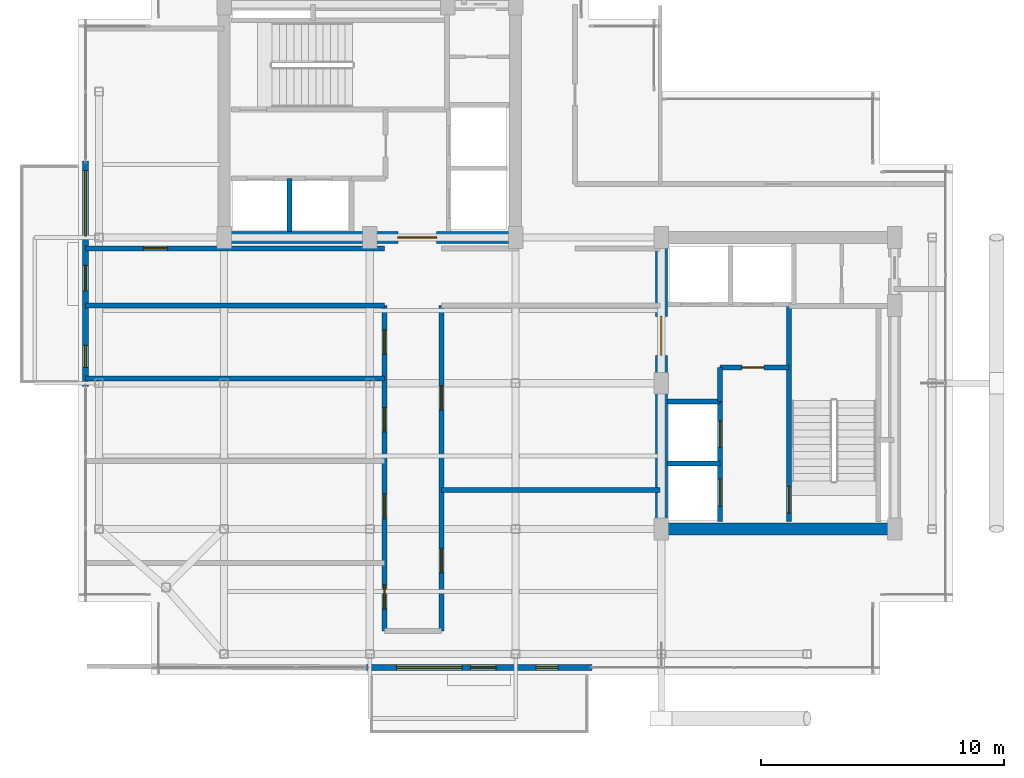
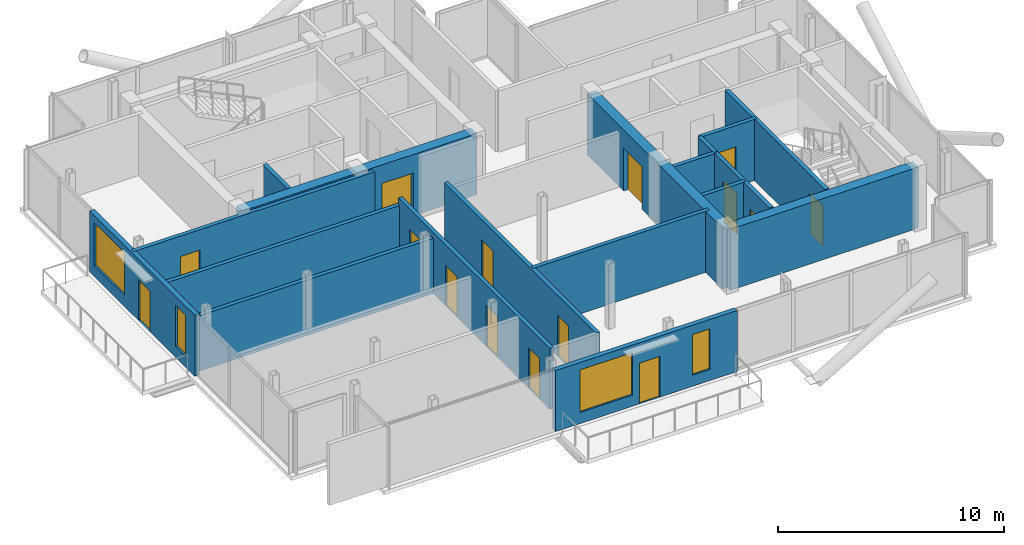
# One storey, part 14 of 18: 18 walls, 15 doors, 4 windows, 19 openings.
"""IFC4 building model written with IfcOpenShell, lengths in metres."""

from ifc_helpers import new_model, si_unit, direction, frame, frame_2d, origin, place, context, subcontext, project, spatial, rectangle, extrude, material, layer, layer_set, type_object, element, fill, save


model = new_model("IFC4")

# Units and contexts
model_context = context("Model", 3, precision=1e-05, world=origin(), true_north=direction((0.0, 1.0)))
body_context = subcontext(model_context, "Body", "Model", "MODEL_VIEW")
ifc_project = project(units=[si_unit("LENGTHUNIT", "METRE"), si_unit("AREAUNIT", "SQUARE_METRE"), si_unit("VOLUMEUNIT", "CUBIC_METRE"), si_unit("PLANEANGLEUNIT", "RADIAN"), si_unit("MASSUNIT", "GRAM", prefix="KILO"), si_unit("THERMODYNAMICTEMPERATUREUNIT", "KELVIN"), si_unit("POWERUNIT", "WATT")], contexts=[model_context])

# Site, building, storey
site_placement = place(None, origin())
site = spatial("IfcSite", under=ifc_project, at=site_placement, CompositionType="ELEMENT")
building_placement = place(site_placement, origin())
building = spatial("IfcBuilding", under=site, at=building_placement, Name="Svarakhadi Broadcast Tower", CompositionType="ELEMENT")
storey_placement = place(building_placement, frame((0.0, 0.0, 281.699951171875)))
storey = spatial("IfcBuildingStorey", under=building, at=storey_placement, Name="L71", CompositionType="ELEMENT", Elevation=281.699951171875)

# Walls
ifc_material_1 = material(Name="Double-Stud Acoustic Studio Partition STC-62", Category="gypsum")
ifc_layer_1 = layer(ifc_material_1, 0.199951171875)
ifc_layer_set_1 = layer_set([ifc_layer_1], Name="Double-Stud Acoustic Studio Partition STC-62")
wall_type_1 = type_object("IfcWallType", Name="Wall_Acoust_200", PredefinedType="PARTITIONING", material=ifc_layer_set_1)
wall_1_placement = place(storey_placement, frame((0.300048828125, 12.199951171875, 0.0), z_axis=(0.0, 0.0, 1.0), x_axis=(1.0, 0.0, 0.0)))
element("IfcWall", 1, at=wall_1_placement, inside=storey, type_object=wall_type_1, Name="L71 Summit Press Briefing Room Wall", PredefinedType="PARTITIONING", context=body_context, shape_type="SweptSolid", body=[
    extrude(rectangle(XDim=12.300048828125, YDim=0.199951171875, at=frame_2d((6.14990234375, 0.0))), origin(), (0.0, 0.0, 1.0), 2.991943359375),
])
wall_2_placement = place(storey_placement, frame((14.949951171875, 7.60009765625, 0.0), z_axis=(0.0, 0.0, 1.0), x_axis=(1.0, 0.0, 0.0)))
element("IfcWall", 2, at=wall_2_placement, inside=storey, type_object=wall_type_1, Name="L71 Summit Horizon Observatory Club Wall", PredefinedType="PARTITIONING", context=body_context, shape_type="SweptSolid", body=[
    extrude(rectangle(XDim=9.0, YDim=0.199951171875, at=frame_2d((4.5, 0.0))), origin(), (0.0, 0.0, 1.0), 3.300048828125),
])

# Wall, openings, door, windows
ifc_material_2 = material(Name="Concrete C40/50 (IS 456 M50)", Category="concrete")
ifc_layer_2 = layer(ifc_material_2, 0.239990234375)
ifc_layer_set_2 = layer_set([ifc_layer_2], Name="Concrete C40/50 (IS 456 M50)")
wall_type_2 = type_object("IfcWallType", Name="Wall_Ext_240", PredefinedType="SOLIDWALL", material=ifc_layer_set_2)
wall_3_placement = place(storey_placement, frame((21.14501953125, 0.300048828125, 0.0), z_axis=(0.0, 0.0, 1.0), x_axis=(-1.0, 0.0, 0.0)))
wall_3 = element("IfcWall", 3, at=wall_3_placement, inside=storey, type_object=wall_type_2, Name="L71 South Tree Balcony Spandrel Wall", PredefinedType="SOLIDWALL", context=body_context, shape_type="SweptSolid", body=[
    extrude(rectangle(XDim=9.2900390625, YDim=0.239990234375, at=frame_2d((4.64501953125, 0.0))), origin(), (0.0, 0.0, 1.0), 3.300048828125),
])
opening_1_placement = place(wall_3_placement, frame((3.945068359375, 0.0, 0.0)))
opening_1 = element("IfcOpeningElement", 4, at=opening_1_placement, cuts=wall_3, Name="Opening ED-05", PredefinedType="OPENING", context=body_context, shape_type="SweptSolid", body=[
    extrude(rectangle(XDim=1.050048828125, YDim=2.199951171875, at=frame_2d((0.52490234375, 1.10009765625))), frame((0.0, 0.1298828125, 0.0), z_axis=(0.0, -1.0, 0.0), x_axis=(1.0, 0.0, 0.0)), (0.0, 0.0, 1.0), 0.260009765625),
])
opening_2_placement = place(wall_3_placement, frame((5.344970703125, 0.0, 0.60009765625)))
opening_2 = element("IfcOpeningElement", 5, at=opening_2_placement, cuts=wall_3, Name="Opening WN-07", PredefinedType="OPENING", context=body_context, shape_type="SweptSolid", body=[
    extrude(rectangle(XDim=2.699951171875, YDim=2.300048828125, at=frame_2d((1.35009765625, 1.14990234375))), frame((0.0, 0.1298828125, 0.0), z_axis=(0.0, -1.0, 0.0), x_axis=(1.0, 0.0, 0.0)), (0.0, 0.0, 1.0), 0.260009765625),
])
opening_3_placement = place(wall_3_placement, frame((1.39990234375, 0.0, 0.60009765625)))
opening_3 = element("IfcOpeningElement", 6, at=opening_3_placement, cuts=wall_3, Name="Opening WN-04", PredefinedType="OPENING", context=body_context, shape_type="SweptSolid", body=[
    extrude(rectangle(XDim=0.89990234375, YDim=2.199951171875, at=frame_2d((0.449951171875, 1.10009765625))), frame((0.0, 0.1298828125, 0.0), z_axis=(0.0, -1.0, 0.0), x_axis=(1.0, 0.0, 0.0)), (0.0, 0.0, 1.0), 0.260009765625),
])
ifc_material_3 = material(Name="Anodised Bronze Aluminium AA 6063-T6", Category="aluminium")
door_type_1 = type_object("IfcDoorType", Name="Door_Ext_ED05", OperationType="SINGLE_SWING_LEFT", PredefinedType="DOOR", material=ifc_material_3)
door_1_placement = place(opening_1_placement, origin())
door_1 = element("IfcDoor", 7, at=door_1_placement, inside=storey, type_object=door_type_1, Name="L71 South Tree Balcony Door", OperationType="SINGLE_SWING_LEFT", OverallHeight=2.199951171875, OverallWidth=1.050048828125, PredefinedType="DOOR", context=body_context, shape_type="SweptSolid", body=[
    extrude(rectangle(XDim=1.050048828125, YDim=2.199951171875, at=frame_2d((0.52490234375, 1.10009765625))), frame((0.0, 0.02490234375, 0.0), z_axis=(0.0, -1.0, 0.0), x_axis=(1.0, 0.0, 0.0)), (0.0, 0.0, 1.0), 0.050048828125),
])
fill(opening_1, door_1)
ifc_material_4 = material(Name="Double Low-E Laminated Acoustic Glass IGU 36 mm", Category="glass")
window_type_1 = type_object("IfcWindowType", Name="Win_Resi_WN07", PartitioningType="SINGLE_PANEL", PredefinedType="WINDOW", material=ifc_material_4)
window_1_placement = place(opening_2_placement, origin())
window_1 = element("IfcWindow", 8, at=window_1_placement, inside=storey, type_object=window_type_1, Name="L71 South Tree Balcony Window", OverallHeight=2.300048828125, OverallWidth=2.699951171875, PartitioningType="SINGLE_PANEL", PredefinedType="WINDOW", context=body_context, shape_type="SweptSolid", body=[
    extrude(rectangle(XDim=2.699951171875, YDim=2.300048828125, at=frame_2d((1.35009765625, 1.14990234375))), frame((0.0, 0.030029296875, 0.0), z_axis=(0.0, -1.0, 0.0), x_axis=(1.0, 0.0, 0.0)), (0.0, 0.0, 1.0), 0.06005859375),
])
fill(opening_2, window_1)
window_type_2 = type_object("IfcWindowType", Name="Win_Slot_WN04", PartitioningType="SINGLE_PANEL", PredefinedType="WINDOW", material=ifc_material_4)
window_2_placement = place(opening_3_placement, origin())
window_2 = element("IfcWindow", 9, at=window_2_placement, inside=storey, type_object=window_type_2, Name="L71 South Primary Bedroom Slot Window", OverallHeight=2.199951171875, OverallWidth=0.89990234375, PartitioningType="SINGLE_PANEL", PredefinedType="WINDOW", context=body_context, shape_type="SweptSolid", body=[
    extrude(rectangle(XDim=0.89990234375, YDim=2.199951171875, at=frame_2d((0.449951171875, 1.10009765625))), frame((0.0, 0.030029296875, 0.0), z_axis=(0.0, -1.0, 0.0), x_axis=(1.0, 0.0, 0.0)), (0.0, 0.0, 1.0), 0.06005859375),
])
fill(opening_3, window_2)

wall_4_placement = place(storey_placement, frame((0.300048828125, 11.85498046875, 0.0), z_axis=(0.0, 0.0, 1.0), x_axis=(0.0, 1.0, 0.0)))
wall_4 = element("IfcWall", 10, at=wall_4_placement, inside=storey, type_object=wall_type_2, Name="L71 West Tree Balcony Spandrel Wall", PredefinedType="SOLIDWALL", context=body_context, shape_type="SweptSolid", body=[
    extrude(rectangle(XDim=9.2900390625, YDim=0.239990234375, at=frame_2d((4.64501953125, 0.0))), origin(), (0.0, 0.0, 1.0), 3.300048828125),
])
opening_4_placement = place(wall_4_placement, frame((3.945068359375, 0.0, 0.0)))
opening_4 = element("IfcOpeningElement", 11, at=opening_4_placement, cuts=wall_4, Name="Opening ED-06", PredefinedType="OPENING", context=body_context, shape_type="SweptSolid", body=[
    extrude(rectangle(XDim=1.050048828125, YDim=2.199951171875, at=frame_2d((0.52490234375, 1.10009765625))), frame((0.0, 0.1298828125, 0.0), z_axis=(0.0, -1.0, 0.0), x_axis=(1.0, 0.0, 0.0)), (0.0, 0.0, 1.0), 0.260009765625),
])
opening_5_placement = place(wall_4_placement, frame((6.199951171875, 0.0, 0.60009765625)))
opening_5 = element("IfcOpeningElement", 12, at=opening_5_placement, cuts=wall_4, Name="Opening WN-07", PredefinedType="OPENING", context=body_context, shape_type="SweptSolid", body=[
    extrude(rectangle(XDim=2.699951171875, YDim=2.300048828125, at=frame_2d((1.35009765625, 1.14990234375))), frame((0.0, 0.1298828125, 0.0), z_axis=(0.0, -1.0, 0.0), x_axis=(1.0, 0.0, 0.0)), (0.0, 0.0, 1.0), 0.260009765625),
])
opening_6_placement = place(wall_4_placement, frame((0.800048828125, 0.0, 0.60009765625)))
opening_6 = element("IfcOpeningElement", 13, at=opening_6_placement, cuts=wall_4, Name="Opening WN-04", PredefinedType="OPENING", context=body_context, shape_type="SweptSolid", body=[
    extrude(rectangle(XDim=0.89990234375, YDim=2.199951171875, at=frame_2d((0.449951171875, 1.10009765625))), frame((0.0, 0.1298828125, 0.0), z_axis=(0.0, -1.0, 0.0), x_axis=(1.0, 0.0, 0.0)), (0.0, 0.0, 1.0), 0.260009765625),
])
door_type_2 = type_object("IfcDoorType", Name="Door_Ext_ED06", OperationType="SINGLE_SWING_RIGHT", PredefinedType="DOOR", material=ifc_material_3)
door_2_placement = place(opening_4_placement, origin())
door_2 = element("IfcDoor", 14, at=door_2_placement, inside=storey, type_object=door_type_2, Name="L71 West Tree Balcony Door", OperationType="SINGLE_SWING_RIGHT", OverallHeight=2.199951171875, OverallWidth=1.050048828125, PredefinedType="DOOR", context=body_context, shape_type="SweptSolid", body=[
    extrude(rectangle(XDim=1.050048828125, YDim=2.199951171875, at=frame_2d((0.52490234375, 1.10009765625))), frame((0.0, 0.02490234375, 0.0), z_axis=(0.0, -1.0, 0.0), x_axis=(1.0, 0.0, 0.0)), (0.0, 0.0, 1.0), 0.050048828125),
])
fill(opening_4, door_2)
window_3_placement = place(opening_5_placement, origin())
window_3 = element("IfcWindow", 15, at=window_3_placement, inside=storey, type_object=window_type_1, Name="L71 West Tree Balcony Window", OverallHeight=2.300048828125, OverallWidth=2.699951171875, PartitioningType="SINGLE_PANEL", PredefinedType="WINDOW", context=body_context, shape_type="SweptSolid", body=[
    extrude(rectangle(XDim=2.699951171875, YDim=2.300048828125, at=frame_2d((1.35009765625, 1.14990234375))), frame((0.0, 0.030029296875, 0.0), z_axis=(0.0, -1.0, 0.0), x_axis=(1.0, 0.0, 0.0)), (0.0, 0.0, 1.0), 0.06005859375),
])
fill(opening_5, window_3)
window_4_placement = place(opening_6_placement, origin())
window_4 = element("IfcWindow", 16, at=window_4_placement, inside=storey, type_object=window_type_2, Name="L71 West Secondary Bedroom Slot Window", OverallHeight=2.199951171875, OverallWidth=0.89990234375, PartitioningType="SINGLE_PANEL", PredefinedType="WINDOW", context=body_context, shape_type="SweptSolid", body=[
    extrude(rectangle(XDim=0.89990234375, YDim=2.199951171875, at=frame_2d((0.449951171875, 1.10009765625))), frame((0.0, 0.030029296875, 0.0), z_axis=(0.0, -1.0, 0.0), x_axis=(1.0, 0.0, 0.0)), (0.0, 0.0, 1.0), 0.06005859375),
])
fill(opening_6, window_4)

# Wall, openings, doors
ifc_layer_3 = layer(ifc_material_2, 0.199951171875)
ifc_layer_set_3 = layer_set([ifc_layer_3], Name="Concrete C40/50 (IS 456 M50)")
wall_type_3 = type_object("IfcWallType", Name="Wall_Fire_200", PredefinedType="SOLIDWALL", material=ifc_layer_set_3)
wall_5_placement = place(storey_placement, frame((12.60009765625, 1.800048828125, 0.0), z_axis=(0.0, 0.0, 1.0), x_axis=(0.0, 1.0, 0.0)))
wall_5 = element("IfcWall", 17, at=wall_5_placement, inside=storey, type_object=wall_type_3, Name="L71 Upper Tower Concourse Wall", PredefinedType="SOLIDWALL", context=body_context, shape_type="SweptSolid", body=[
    extrude(rectangle(XDim=13.39990234375, YDim=0.199951171875, at=frame_2d((6.699951171875, 0.0))), origin(), (0.0, 0.0, 1.0), 3.300048828125),
])
opening_7_placement = place(wall_5_placement, frame((0.89990234375, 0.0, 0.0)))
opening_7 = element("IfcOpeningElement", 18, at=opening_7_placement, cuts=wall_5, Name="Opening D-08", PredefinedType="OPENING", context=body_context, shape_type="SweptSolid", body=[
    extrude(rectangle(XDim=1.0, YDim=2.199951171875, at=frame_2d((0.5, 1.10009765625))), frame((0.0, 0.10986328125, 0.0), z_axis=(0.0, -1.0, 0.0), x_axis=(1.0, 0.0, 0.0)), (0.0, 0.0, 1.0), 0.219970703125),
])
opening_8_placement = place(wall_5_placement, frame((4.6298828125, 0.0, 0.0)))
opening_8 = element("IfcOpeningElement", 19, at=opening_8_placement, cuts=wall_5, Name="Opening D-09", PredefinedType="OPENING", context=body_context, shape_type="SweptSolid", body=[
    extrude(rectangle(XDim=1.0, YDim=2.199951171875, at=frame_2d((0.5, 1.10009765625))), frame((0.0, 0.10986328125, 0.0), z_axis=(0.0, -1.0, 0.0), x_axis=(1.0, 0.0, 0.0)), (0.0, 0.0, 1.0), 0.219970703125),
])
opening_9_placement = place(wall_5_placement, frame((8.199951171875, 0.0, 0.0)))
opening_9 = element("IfcOpeningElement", 20, at=opening_9_placement, cuts=wall_5, Name="Opening D-08", PredefinedType="OPENING", context=body_context, shape_type="SweptSolid", body=[
    extrude(rectangle(XDim=1.0, YDim=2.199951171875, at=frame_2d((0.5, 1.10009765625))), frame((0.0, 0.10986328125, 0.0), z_axis=(0.0, -1.0, 0.0), x_axis=(1.0, 0.0, 0.0)), (0.0, 0.0, 1.0), 0.219970703125),
])
opening_10_placement = place(wall_5_placement, frame((11.39990234375, 0.0, 0.0)))
opening_10 = element("IfcOpeningElement", 21, at=opening_10_placement, cuts=wall_5, Name="Opening D-09", PredefinedType="OPENING", context=body_context, shape_type="SweptSolid", body=[
    extrude(rectangle(XDim=1.0, YDim=2.199951171875, at=frame_2d((0.5, 1.10009765625))), frame((0.0, 0.10986328125, 0.0), z_axis=(0.0, -1.0, 0.0), x_axis=(1.0, 0.0, 0.0)), (0.0, 0.0, 1.0), 0.219970703125),
])
ifc_material_5 = material(Name="Solid-Core Teak Veneer Acoustic Timber Leaf", Category="wood")
door_type_3 = type_object("IfcDoorType", Name="Door_Suite_D08", OperationType="SINGLE_SWING_LEFT", PredefinedType="DOOR", material=ifc_material_5)
door_3_placement = place(opening_7_placement, origin())
door_3 = element("IfcDoor", 22, at=door_3_placement, inside=storey, type_object=door_type_3, Name="L71 Summit Sky Bistro Door", OperationType="SINGLE_SWING_LEFT", OverallHeight=2.199951171875, OverallWidth=1.0, PredefinedType="DOOR", context=body_context, shape_type="SweptSolid", body=[
    extrude(rectangle(XDim=1.0, YDim=2.199951171875, at=frame_2d((0.5, 1.10009765625))), frame((0.0, 0.02490234375, 0.0), z_axis=(0.0, -1.0, 0.0), x_axis=(1.0, 0.0, 0.0)), (0.0, 0.0, 1.0), 0.050048828125),
])
fill(opening_7, door_3)
door_4_placement = place(opening_9_placement, origin())
door_4 = element("IfcDoor", 23, at=door_4_placement, inside=storey, type_object=door_type_3, Name="L71 Summit Press Briefing Room Door", OperationType="SINGLE_SWING_LEFT", OverallHeight=2.199951171875, OverallWidth=1.0, PredefinedType="DOOR", context=body_context, shape_type="SweptSolid", body=[
    extrude(rectangle(XDim=1.0, YDim=2.199951171875, at=frame_2d((0.5, 1.10009765625))), frame((0.0, 0.02490234375, 0.0), z_axis=(0.0, -1.0, 0.0), x_axis=(1.0, 0.0, 0.0)), (0.0, 0.0, 1.0), 0.050048828125),
])
fill(opening_9, door_4)
door_type_4 = type_object("IfcDoorType", Name="Door_Suite_D09", OperationType="SINGLE_SWING_RIGHT", PredefinedType="DOOR", material=ifc_material_5)
door_5_placement = place(opening_8_placement, origin())
door_5 = element("IfcDoor", 24, at=door_5_placement, inside=storey, type_object=door_type_4, Name="L71 Summit Chef Kitchen Door", OperationType="SINGLE_SWING_RIGHT", OverallHeight=2.199951171875, OverallWidth=1.0, PredefinedType="DOOR", context=body_context, shape_type="SweptSolid", body=[
    extrude(rectangle(XDim=1.0, YDim=2.199951171875, at=frame_2d((0.5, 1.10009765625))), frame((0.0, 0.02490234375, 0.0), z_axis=(0.0, -1.0, 0.0), x_axis=(1.0, 0.0, 0.0)), (0.0, 0.0, 1.0), 0.050048828125),
])
fill(opening_8, door_5)
door_6_placement = place(opening_10_placement, origin())
door_6 = element("IfcDoor", 25, at=door_6_placement, inside=storey, type_object=door_type_4, Name="L71 Summit Broadcast Desk Office Door", OperationType="SINGLE_SWING_RIGHT", OverallHeight=2.199951171875, OverallWidth=1.0, PredefinedType="DOOR", context=body_context, shape_type="SweptSolid", body=[
    extrude(rectangle(XDim=1.0, YDim=2.199951171875, at=frame_2d((0.5, 1.10009765625))), frame((0.0, 0.02490234375, 0.0), z_axis=(0.0, -1.0, 0.0), x_axis=(1.0, 0.0, 0.0)), (0.0, 0.0, 1.0), 0.050048828125),
])
fill(opening_10, door_6)

# Wall
wall_6_placement = place(storey_placement, frame((12.60009765625, 15.199951171875, 0.0), z_axis=(0.0, 0.0, 1.0), x_axis=(-1.0, 0.0, 0.0)))
element("IfcWall", 26, at=wall_6_placement, inside=storey, type_object=wall_type_3, Name="L71 Upper Tower Concourse Wall", PredefinedType="SOLIDWALL", context=body_context, shape_type="SweptSolid", body=[
    extrude(rectangle(XDim=12.300048828125, YDim=0.199951171875, at=frame_2d((6.14990234375, 0.0))), origin(), (0.0, 0.0, 1.0), 2.93212890625),
])

# Wall, opening, door
wall_7_placement = place(storey_placement, frame((0.300048828125, 17.550048828125, 0.0), z_axis=(0.0, 0.0, 1.0), x_axis=(1.0, 0.0, 0.0)))
wall_7 = element("IfcWall", 27, at=wall_7_placement, inside=storey, type_object=wall_type_3, Name="L71 Upper Tower Concourse Wall", PredefinedType="SOLIDWALL", context=body_context, shape_type="SweptSolid", body=[
    extrude(rectangle(XDim=12.300048828125, YDim=0.199951171875, at=frame_2d((6.14990234375, 0.0))), origin(), (0.0, 0.0, 1.0), 3.300048828125),
])
opening_11_placement = place(wall_7_placement, frame((2.375, 0.0, 0.0)))
opening_11 = element("IfcOpeningElement", 28, at=opening_11_placement, cuts=wall_7, Name="Opening D-08", PredefinedType="OPENING", context=body_context, shape_type="SweptSolid", body=[
    extrude(rectangle(XDim=1.0, YDim=2.199951171875, at=frame_2d((0.5, 1.10009765625))), frame((0.0, 0.10986328125, 0.0), z_axis=(0.0, -1.0, 0.0), x_axis=(1.0, 0.0, 0.0)), (0.0, 0.0, 1.0), 0.219970703125),
])
door_7_placement = place(opening_11_placement, origin())
door_7 = element("IfcDoor", 29, at=door_7_placement, inside=storey, type_object=door_type_3, Name="L71 Summit Cigar and Cognac Salon Door", OperationType="SINGLE_SWING_LEFT", OverallHeight=2.199951171875, OverallWidth=1.0, PredefinedType="DOOR", context=body_context, shape_type="SweptSolid", body=[
    extrude(rectangle(XDim=1.0, YDim=2.199951171875, at=frame_2d((0.5, 1.10009765625))), frame((0.0, 0.02490234375, 0.0), z_axis=(0.0, -1.0, 0.0), x_axis=(1.0, 0.0, 0.0)), (0.0, 0.0, 1.0), 0.050048828125),
])
fill(opening_11, door_7)

# Wall, openings, doors
wall_8_placement = place(storey_placement, frame((14.949951171875, 15.199951171875, 0.0), z_axis=(0.0, 0.0, 1.0), x_axis=(0.0, -1.0, 0.0)))
wall_8 = element("IfcWall", 30, at=wall_8_placement, inside=storey, type_object=wall_type_3, Name="L71 Upper Tower Concourse Wall", PredefinedType="SOLIDWALL", context=body_context, shape_type="SweptSolid", body=[
    extrude(rectangle(XDim=13.39990234375, YDim=0.199951171875, at=frame_2d((6.699951171875, 0.0))), origin(), (0.0, 0.0, 1.0), 3.300048828125),
])
opening_12_placement = place(wall_8_placement, frame((10.0, 0.0, 0.0)))
opening_12 = element("IfcOpeningElement", 31, at=opening_12_placement, cuts=wall_8, Name="Opening D-09", PredefinedType="OPENING", context=body_context, shape_type="SweptSolid", body=[
    extrude(rectangle(XDim=1.0, YDim=2.199951171875, at=frame_2d((0.5, 1.10009765625))), frame((0.0, 0.10986328125, 0.0), z_axis=(0.0, -1.0, 0.0), x_axis=(1.0, 0.0, 0.0)), (0.0, 0.0, 1.0), 0.219970703125),
])
opening_13_placement = place(wall_8_placement, frame((3.300048828125, 0.0, 0.0)))
opening_13 = element("IfcOpeningElement", 32, at=opening_13_placement, cuts=wall_8, Name="Opening D-08", PredefinedType="OPENING", context=body_context, shape_type="SweptSolid", body=[
    extrude(rectangle(XDim=1.0, YDim=2.199951171875, at=frame_2d((0.5, 1.10009765625))), frame((0.0, 0.10986328125, 0.0), z_axis=(0.0, -1.0, 0.0), x_axis=(1.0, 0.0, 0.0)), (0.0, 0.0, 1.0), 0.219970703125),
])
door_8_placement = place(opening_13_placement, origin())
door_8 = element("IfcDoor", 33, at=door_8_placement, inside=storey, type_object=door_type_3, Name="L71 Summit Diplomatic Boardroom Door", OperationType="SINGLE_SWING_LEFT", OverallHeight=2.199951171875, OverallWidth=1.0, PredefinedType="DOOR", context=body_context, shape_type="SweptSolid", body=[
    extrude(rectangle(XDim=1.0, YDim=2.199951171875, at=frame_2d((0.5, 1.10009765625))), frame((0.0, 0.02490234375, 0.0), z_axis=(0.0, -1.0, 0.0), x_axis=(1.0, 0.0, 0.0)), (0.0, 0.0, 1.0), 0.050048828125),
])
fill(opening_13, door_8)
door_9_placement = place(opening_12_placement, origin())
door_9 = element("IfcDoor", 34, at=door_9_placement, inside=storey, type_object=door_type_4, Name="L71 Summit Horizon Observatory Club Door", OperationType="SINGLE_SWING_RIGHT", OverallHeight=2.199951171875, OverallWidth=1.0, PredefinedType="DOOR", context=body_context, shape_type="SweptSolid", body=[
    extrude(rectangle(XDim=1.0, YDim=2.199951171875, at=frame_2d((0.5, 1.10009765625))), frame((0.0, 0.02490234375, 0.0), z_axis=(0.0, -1.0, 0.0), x_axis=(1.0, 0.0, 0.0)), (0.0, 0.0, 1.0), 0.050048828125),
])
fill(opening_12, door_9)

# Wall, opening, door
ifc_material_6 = material(Name="Concrete C50/60 (IS 456 M60)", Category="concrete")
ifc_layer_4 = layer(ifc_material_6, 0.199951171875)
ifc_layer_set_4 = layer_set([ifc_layer_4], Name="Concrete C50/60 (IS 456 M60)")
wall_type_4 = type_object("IfcWallType", Name="Wall_Shear_200", PredefinedType="SHEAR", material=ifc_layer_set_4)
wall_9_placement = place(storey_placement, frame((29.260009765625, 6.300048828125, 0.0), z_axis=(0.0, 0.0, 1.0), x_axis=(0.0, 1.0, 0.0)))
wall_9 = element("IfcWall", 35, at=wall_9_placement, inside=storey, type_object=wall_type_4, Name="L71 Stair ST-02 West RC Shaft Wall", PredefinedType="SHEAR", context=body_context, shape_type="SweptSolid", body=[
    extrude(rectangle(XDim=8.8798828125, YDim=0.199951171875, at=frame_2d((4.43994140625, 0.0))), origin(), (0.0, 0.0, 1.0), 3.300048828125),
])
opening_14_placement = place(wall_9_placement, frame((0.35009765625, 0.0, 0.0)))
opening_14 = element("IfcOpeningElement", 36, at=opening_14_placement, cuts=wall_9, Name="Opening D-02", PredefinedType="OPENING", context=body_context, shape_type="SweptSolid", body=[
    extrude(rectangle(XDim=1.10009765625, YDim=2.199951171875, at=frame_2d((0.550048828125, 1.10009765625))), frame((0.0, 0.10986328125, 0.0), z_axis=(0.0, -1.0, 0.0), x_axis=(1.0, 0.0, 0.0)), (0.0, 0.0, 1.0), 0.219970703125),
])
ifc_material_7 = material(Name="Galvanised Powder-Coated Fire-Rated Steel Leaf", Category="steel")
door_type_5 = type_object("IfcDoorType", Name="Door_Stair_D02", OperationType="SINGLE_SWING_RIGHT", PredefinedType="DOOR", material=ifc_material_7)
door_10_placement = place(opening_14_placement, origin())
door_10 = element("IfcDoor", 37, at=door_10_placement, inside=storey, type_object=door_type_5, Name="L71 Protected Exit Stair ST-02 Fire Door", OperationType="SINGLE_SWING_RIGHT", OverallHeight=2.199951171875, OverallWidth=1.10009765625, PredefinedType="DOOR", context=body_context, shape_type="SweptSolid", body=[
    extrude(rectangle(XDim=1.10009765625, YDim=2.199951171875, at=frame_2d((0.550048828125, 1.10009765625))), frame((0.0, 0.02490234375, 0.0), z_axis=(0.0, -1.0, 0.0), x_axis=(1.0, 0.0, 0.0)), (0.0, 0.0, 1.0), 0.050048828125),
])
fill(opening_14, door_10)

# Wall
wall_10_placement = place(storey_placement, frame((8.699951171875, 18.25, 0.0), z_axis=(0.0, 0.0, 1.0), x_axis=(0.0, 1.0, 0.0)))
element("IfcWall", 38, at=wall_10_placement, inside=storey, type_object=wall_type_4, Name="L71 Firefighting Lift LF-01/02 Divider Wall", PredefinedType="SHEAR", context=body_context, shape_type="SweptSolid", body=[
    extrude(rectangle(XDim=2.169921875, YDim=0.199951171875, at=frame_2d((1.0849609375, 0.0))), origin(), (0.0, 0.0, 1.0), 3.300048828125),
])

# Wall, openings, doors
wall_11_placement = place(storey_placement, frame((26.419921875, 6.300048828125, 0.0), z_axis=(0.0, 0.0, 1.0), x_axis=(0.0, 1.0, 0.0)))
wall_11 = element("IfcWall", 39, at=wall_11_placement, inside=storey, type_object=wall_type_4, Name="L71 Firefighting Lift LF-03/04 Shaft Wall", PredefinedType="SHEAR", context=body_context, shape_type="SweptSolid", body=[
    extrude(rectangle(XDim=4.949951171875, YDim=0.199951171875, at=frame_2d((2.47509765625, 0.0))), origin(), (0.0, 0.0, 1.0), 3.300048828125),
])
opening_15_placement = place(wall_11_placement, frame((0.64990234375, 0.0, 0.0)))
opening_15 = element("IfcOpeningElement", 40, at=opening_15_placement, cuts=wall_11, Name="Opening LD-01", PredefinedType="OPENING", context=body_context, shape_type="SweptSolid", body=[
    extrude(rectangle(XDim=1.10009765625, YDim=2.199951171875, at=frame_2d((0.550048828125, 1.10009765625))), frame((0.0, 0.10986328125, 0.0), z_axis=(0.0, -1.0, 0.0), x_axis=(1.0, 0.0, 0.0)), (0.0, 0.0, 1.0), 0.219970703125),
])
opening_16_placement = place(wall_11_placement, frame((3.050048828125, 0.0, 0.0)))
opening_16 = element("IfcOpeningElement", 41, at=opening_16_placement, cuts=wall_11, Name="Opening LD-01", PredefinedType="OPENING", context=body_context, shape_type="SweptSolid", body=[
    extrude(rectangle(XDim=1.10009765625, YDim=2.199951171875, at=frame_2d((0.550048828125, 1.10009765625))), frame((0.0, 0.10986328125, 0.0), z_axis=(0.0, -1.0, 0.0), x_axis=(1.0, 0.0, 0.0)), (0.0, 0.0, 1.0), 0.219970703125),
])
door_type_6 = type_object("IfcDoorType", Name="Door_Lift_LD01", OperationType="SLIDING_TO_LEFT", PredefinedType="DOOR", material=ifc_material_7)
door_11_placement = place(opening_15_placement, origin())
door_11 = element("IfcDoor", 42, at=door_11_placement, inside=storey, type_object=door_type_6, Name="L71 Firefighting Lift LF-03 Landing Door", OperationType="SLIDING_TO_LEFT", OverallHeight=2.199951171875, OverallWidth=1.10009765625, PredefinedType="DOOR", context=body_context, shape_type="SweptSolid", body=[
    extrude(rectangle(XDim=1.10009765625, YDim=2.199951171875, at=frame_2d((0.550048828125, 1.10009765625))), frame((0.0, 0.02490234375, 0.0), z_axis=(0.0, -1.0, 0.0), x_axis=(1.0, 0.0, 0.0)), (0.0, 0.0, 1.0), 0.050048828125),
])
fill(opening_15, door_11)
door_12_placement = place(opening_16_placement, origin())
door_12 = element("IfcDoor", 43, at=door_12_placement, inside=storey, type_object=door_type_6, Name="L71 Firefighting Lift LF-04 Landing Door", OperationType="SLIDING_TO_LEFT", OverallHeight=2.199951171875, OverallWidth=1.10009765625, PredefinedType="DOOR", context=body_context, shape_type="SweptSolid", body=[
    extrude(rectangle(XDim=1.10009765625, YDim=2.199951171875, at=frame_2d((0.550048828125, 1.10009765625))), frame((0.0, 0.02490234375, 0.0), z_axis=(0.0, -1.0, 0.0), x_axis=(1.0, 0.0, 0.0)), (0.0, 0.0, 1.0), 0.050048828125),
])
fill(opening_16, door_12)

# Walls
for number, where, z_axis, x_axis, name in (
    (44, (24.25, 8.699951171875, 0.0), (0.0, 0.0, 1.0), (1.0, 0.0, 0.0), "L71 Firefighting Lift LF-03/04 Divider Wall"),
    (45, (24.25, 11.25, 0.0), (0.0, 0.0, 1.0), (1.0, 0.0, 0.0), "L71 Firefighting Lift LF-04 North Wall"),
):
    element("IfcWall", number, at=place(storey_placement, frame(where, z_axis=z_axis, x_axis=x_axis)), inside=storey, type_object=wall_type_4, Name=name, PredefinedType="SHEAR", context=body_context, shape_type="SweptSolid", body=[
        extrude(rectangle(XDim=2.169921875, YDim=0.199951171875, at=frame_2d((1.0849609375, 0.0))), origin(), (0.0, 0.0, 1.0), 3.300048828125),
    ])
wall_12_placement = place(storey_placement, frame((26.419921875, 11.25, 0.0), z_axis=(0.0, 0.0, 1.0), x_axis=(0.0, 1.0, 0.0)))
element("IfcWall", 46, at=wall_12_placement, inside=storey, type_object=wall_type_4, Name="L71 East Firefighting Lobby West Wall", PredefinedType="SHEAR", context=body_context, shape_type="SweptSolid", body=[
    extrude(rectangle(XDim=1.39990234375, YDim=0.199951171875, at=frame_2d((0.699951171875, 0.0))), origin(), (0.0, 0.0, 1.0), 3.300048828125),
])

# Wall, opening, door
wall_13_placement = place(storey_placement, frame((26.419921875, 12.64990234375, 0.0), z_axis=(0.0, 0.0, 1.0), x_axis=(1.0, 0.0, 0.0)))
wall_13 = element("IfcWall", 47, at=wall_13_placement, inside=storey, type_object=wall_type_4, Name="L71 East Firefighting Lobby North Wall", PredefinedType="SHEAR", context=body_context, shape_type="SweptSolid", body=[
    extrude(rectangle(XDim=2.840087890625, YDim=0.199951171875, at=frame_2d((1.419921875, 0.0))), origin(), (0.0, 0.0, 1.0), 3.300048828125),
])
opening_17_placement = place(wall_13_placement, frame((0.89990234375, 0.0, 0.0)))
opening_17 = element("IfcOpeningElement", 48, at=opening_17_placement, cuts=wall_13, Name="Opening D-04", PredefinedType="OPENING", context=body_context, shape_type="SweptSolid", body=[
    extrude(rectangle(XDim=0.89990234375, YDim=2.14990234375, at=frame_2d((0.449951171875, 1.074951171875))), frame((0.0, 0.10986328125, 0.0), z_axis=(0.0, -1.0, 0.0), x_axis=(1.0, 0.0, 0.0)), (0.0, 0.0, 1.0), 0.219970703125),
])
door_type_7 = type_object("IfcDoorType", Name="Door_Fire_D04", OperationType="SINGLE_SWING_RIGHT", PredefinedType="DOOR", material=ifc_material_7)
door_13_placement = place(opening_17_placement, origin())
door_13 = element("IfcDoor", 49, at=door_13_placement, inside=storey, type_object=door_type_7, Name="L71 East Firefighting Lobby Fire Door", OperationType="SINGLE_SWING_RIGHT", OverallHeight=2.14990234375, OverallWidth=0.89990234375, PredefinedType="DOOR", context=body_context, shape_type="SweptSolid", body=[
    extrude(rectangle(XDim=0.89990234375, YDim=2.14990234375, at=frame_2d((0.449951171875, 1.074951171875))), frame((0.0, 0.02490234375, 0.0), z_axis=(0.0, -1.0, 0.0), x_axis=(1.0, 0.0, 0.0)), (0.0, 0.0, 1.0), 0.050048828125),
])
fill(opening_17, door_13)

ifc_layer_5 = layer(ifc_material_6, 0.5)
ifc_layer_set_5 = layer_set([ifc_layer_5], Name="Concrete C50/60 (IS 456 M60)")
wall_type_5 = type_object("IfcWallType", Name="Wall_Shear_500", PredefinedType="SHEAR", material=ifc_layer_set_5)
wall_14_placement = place(storey_placement, frame((6.0, 18.0, 0.0), z_axis=(0.0, 0.0, 1.0), x_axis=(1.0, 0.0, 0.0)))
wall_14 = element("IfcWall", 50, at=wall_14_placement, inside=storey, type_object=wall_type_5, Name="L71 West Core South Shear Wall", PredefinedType="SHEAR", context=body_context, shape_type="SweptSolid", body=[
    extrude(rectangle(XDim=12.0, YDim=0.5, at=frame_2d((6.0, 0.0))), origin(), (0.0, 0.0, 1.0), 3.300048828125),
])
opening_18_placement = place(wall_14_placement, frame((7.14990234375, 0.0, 0.0)))
opening_18 = element("IfcOpeningElement", 51, at=opening_18_placement, cuts=wall_14, Name="Opening D-05", PredefinedType="OPENING", context=body_context, shape_type="SweptSolid", body=[
    extrude(rectangle(XDim=1.60009765625, YDim=2.300048828125, at=frame_2d((0.800048828125, 1.14990234375))), frame((0.0, 0.260009765625, 0.0), z_axis=(0.0, -1.0, 0.0), x_axis=(1.0, 0.0, 0.0)), (0.0, 0.0, 1.0), 0.52001953125),
])
door_type_8 = type_object("IfcDoorType", Name="Door_Lobby_D05", OperationType="DOUBLE_DOOR_SLIDING", PredefinedType="DOOR", material=ifc_material_3)
door_14_placement = place(opening_18_placement, origin())
door_14 = element("IfcDoor", 52, at=door_14_placement, inside=storey, type_object=door_type_8, Name="L71 West Core Passenger Lift Lobby Entrance Door", OperationType="DOUBLE_DOOR_SLIDING", OverallHeight=2.300048828125, OverallWidth=1.60009765625, PredefinedType="DOOR", context=body_context, shape_type="SweptSolid", body=[
    extrude(rectangle(XDim=1.60009765625, YDim=2.300048828125, at=frame_2d((0.800048828125, 1.14990234375))), frame((0.0, 0.02490234375, 0.0), z_axis=(0.0, -1.0, 0.0), x_axis=(1.0, 0.0, 0.0)), (0.0, 0.0, 1.0), 0.050048828125),
])
fill(opening_18, door_14)

# Wall
wall_15_placement = place(storey_placement, frame((24.0, 6.0, 0.0), z_axis=(0.0, 0.0, 1.0), x_axis=(1.0, 0.0, 0.0)))
element("IfcWall", 53, at=wall_15_placement, inside=storey, type_object=wall_type_5, Name="L71 East Core South Shear Wall", PredefinedType="SHEAR", context=body_context, shape_type="SweptSolid", body=[
    extrude(rectangle(XDim=9.60009765625, YDim=0.5, at=frame_2d((4.800048828125, 0.0))), origin(), (0.0, 0.0, 1.0), 3.300048828125),
])

# Wall, opening, door
wall_16_placement = place(storey_placement, frame((24.0, 6.0, 0.0), z_axis=(0.0, 0.0, 1.0), x_axis=(0.0, 1.0, 0.0)))
wall_16 = element("IfcWall", 54, at=wall_16_placement, inside=storey, type_object=wall_type_5, Name="L71 East Core West Shear Wall", PredefinedType="SHEAR", context=body_context, shape_type="SweptSolid", body=[
    extrude(rectangle(XDim=12.0, YDim=0.5, at=frame_2d((6.0, 0.0))), origin(), (0.0, 0.0, 1.0), 3.300048828125),
])
opening_19_placement = place(wall_16_placement, frame((7.14990234375, 0.0, 0.0)))
opening_19 = element("IfcOpeningElement", 55, at=opening_19_placement, cuts=wall_16, Name="Opening D-05", PredefinedType="OPENING", context=body_context, shape_type="SweptSolid", body=[
    extrude(rectangle(XDim=1.60009765625, YDim=2.300048828125, at=frame_2d((0.800048828125, 1.14990234375))), frame((0.0, 0.260009765625, 0.0), z_axis=(0.0, -1.0, 0.0), x_axis=(1.0, 0.0, 0.0)), (0.0, 0.0, 1.0), 0.52001953125),
])
door_15_placement = place(opening_19_placement, origin())
door_15 = element("IfcDoor", 56, at=door_15_placement, inside=storey, type_object=door_type_8, Name="L71 East Core Passenger Lift Lobby Entrance Door", OperationType="DOUBLE_DOOR_SLIDING", OverallHeight=2.300048828125, OverallWidth=1.60009765625, PredefinedType="DOOR", context=body_context, shape_type="SweptSolid", body=[
    extrude(rectangle(XDim=1.60009765625, YDim=2.300048828125, at=frame_2d((0.800048828125, 1.14990234375))), frame((0.0, 0.02490234375, 0.0), z_axis=(0.0, -1.0, 0.0), x_axis=(1.0, 0.0, 0.0)), (0.0, 0.0, 1.0), 0.050048828125),
])
fill(opening_19, door_15)

save(model, "model.ifc")
